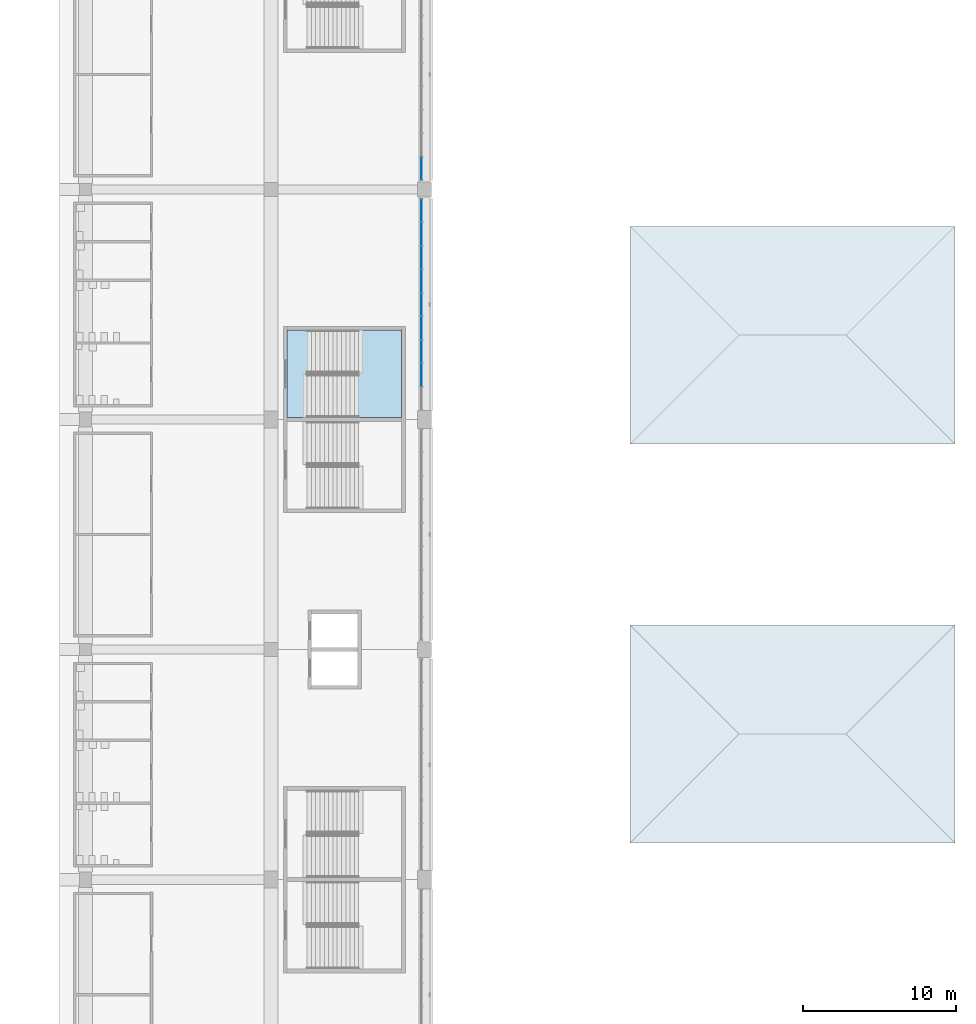
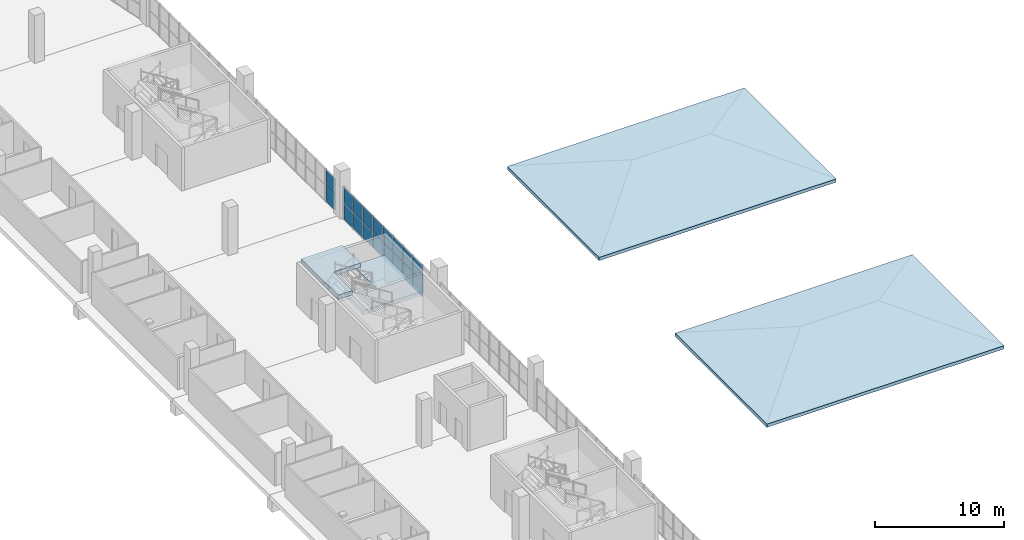
# One storey, part 66 of 199: 18 plates, 4 slabs, 3 elements without a shape of their own.
"""IFC4 building model written with IfcOpenShell, lengths in metres."""

from ifc_helpers import new_model, si_unit, direction, frame, origin, origin_2d, place, context, subcontext, project, spatial, polyline, rectangle, outline, extrude, material, layer, layer_set, type_object, element, aggregate, save


model = new_model("IFC4")

# Units and contexts
model_context = context("Model", 3, precision=1e-05, world=origin(), true_north=direction((0.0, 1.0)))
body_context = subcontext(model_context, "Body", "Model", "MODEL_VIEW")
ifc_project = project(units=[si_unit("LENGTHUNIT", "METRE"), si_unit("AREAUNIT", "SQUARE_METRE"), si_unit("VOLUMEUNIT", "CUBIC_METRE"), si_unit("PLANEANGLEUNIT", "RADIAN"), si_unit("MASSUNIT", "GRAM", prefix="KILO")], contexts=[model_context])

# Site, building, storey
site_placement = place(None, origin())
site = spatial("IfcSite", under=ifc_project, at=site_placement, CompositionType="ELEMENT")
building_placement = place(site_placement, origin())
building = spatial("IfcBuilding", under=site, at=building_placement, Name="Ogive Plaza Stadium", CompositionType="ELEMENT")
storey_placement = place(building_placement, frame((0.0, 0.0, 4.5)))
storey = spatial("IfcBuildingStorey", under=building, at=storey_placement, Name="L01", CompositionType="ELEMENT", Elevation=4.5)

# Slabs
ifc_material_1 = material(Name="Concrete C40/50", Category="concrete")
ifc_layer_1 = layer(ifc_material_1, 0.300048828125)
ifc_layer_set_1 = layer_set([ifc_layer_1], Name="Concrete C40/50")
slab_type_1 = type_object("IfcSlabType", Name="Headhouse roof slab 300", PredefinedType="ROOF", material=ifc_layer_set_1)
slab_1_placement = place(storey_placement, frame((0.0, 0.0, 1.0)))
element("IfcSlab", 1, at=slab_1_placement, inside=storey, type_object=slab_type_1, Name="Headhouse 1 roof", PredefinedType="ROOF", context=body_context, shape_type="SweptSolid", body=[
    extrude(outline(polyline([(97.39990234375, -20.10009765625), (118.60009765625, -20.10009765625), (118.60009765625, -5.89990234375), (97.39990234375, -5.89990234375), (97.39990234375, -20.10009765625)])), origin(), (0.0, 0.0, 1.0), 0.300048828125),
])
slab_2_placement = place(storey_placement, frame((0.0, 0.0, 1.0)))
element("IfcSlab", 2, at=slab_2_placement, inside=storey, type_object=slab_type_1, Name="Headhouse 2 roof", PredefinedType="ROOF", context=body_context, shape_type="SweptSolid", body=[
    extrude(outline(polyline([(97.39990234375, 5.89990234375), (118.60009765625, 5.89990234375), (118.60009765625, 20.10009765625), (97.39990234375, 20.10009765625), (97.39990234375, 5.89990234375)])), origin(), (0.0, 0.0, 1.0), 0.300048828125),
])

# Curtain wall, plates
ifc_material_2 = material(Name="Bronze-anodised aluminium with laminated glass", Category="aluminium")
curtain_wall_type = type_object("IfcCurtainWallType", Name="Lancet curtain wall", PredefinedType="NOTDEFINED", material=ifc_material_2)
curtain_wall_1_placement = place(storey_placement, origin())
curtain_wall_1 = element("IfcCurtainWall", 3, at=curtain_wall_1_placement, inside=storey, type_object=curtain_wall_type, Name="CURTAIN WALL B02 L01", PredefinedType="NOTDEFINED")
ifc_material_3 = material(Name="Laminated glass", Category="glass")
ifc_layer_2 = layer(ifc_material_3, 0.028076171875)
ifc_layer_set_2 = layer_set([ifc_layer_2], Name="Laminated glass panel 28")
plate_type = type_object("IfcPlateType", Name="Laminated glass panel 28", PredefinedType="CURTAIN_PANEL", material=ifc_layer_set_2)
plate_1_placement = place(storey_placement, frame((83.800048828125, 23.879150390625, 0.0498046875), z_axis=(0.0, 0.0, 1.0), x_axis=(0.0, -1.0, 0.0)))
plate_1 = element("IfcPlate", 4, at=plate_1_placement, type_object=plate_type, Name="CW-B02-L01 panel 9.1", PredefinedType="CURTAIN_PANEL", context=body_context, shape_type="SweptSolid", body=[
    extrude(rectangle(XDim=1.458251953125, YDim=0.028076171875, at=origin_2d()), origin(), (0.0, 0.0, 1.0), 1.469970703125),
])
plate_2_placement = place(storey_placement, frame((83.800048828125, 23.879150390625, 1.56982421875), z_axis=(0.0, 0.0, 1.0), x_axis=(0.0, -1.0, 0.0)))
plate_2 = element("IfcPlate", 5, at=plate_2_placement, type_object=plate_type, Name="CW-B02-L01 panel 9.2", PredefinedType="CURTAIN_PANEL", context=body_context, shape_type="SweptSolid", body=[
    extrude(rectangle(XDim=1.458251953125, YDim=0.028076171875, at=origin_2d()), origin(), (0.0, 0.0, 1.0), 1.469970703125),
])
aggregate(curtain_wall_1, [plate_1, plate_2])

curtain_wall_2_placement = place(storey_placement, origin())
curtain_wall_2 = element("IfcCurtainWall", 6, at=curtain_wall_2_placement, inside=storey, type_object=curtain_wall_type, Name="CURTAIN WALL B03 L01", PredefinedType="NOTDEFINED")
plate_3_placement = place(storey_placement, frame((83.800048828125, 21.120849609375, 0.0498046875), z_axis=(0.0, 0.0, 1.0), x_axis=(0.0, -1.0, 0.0)))
plate_3 = element("IfcPlate", 7, at=plate_3_placement, type_object=plate_type, Name="CW-B03-L01 panel 1.1", PredefinedType="CURTAIN_PANEL", context=body_context, shape_type="SweptSolid", body=[
    extrude(rectangle(XDim=1.458251953125, YDim=0.028076171875, at=origin_2d()), origin(), (0.0, 0.0, 1.0), 1.469970703125),
])
plate_4_placement = place(storey_placement, frame((83.800048828125, 21.120849609375, 1.56982421875), z_axis=(0.0, 0.0, 1.0), x_axis=(0.0, -1.0, 0.0)))
plate_4 = element("IfcPlate", 8, at=plate_4_placement, type_object=plate_type, Name="CW-B03-L01 panel 1.2", PredefinedType="CURTAIN_PANEL", context=body_context, shape_type="SweptSolid", body=[
    extrude(rectangle(XDim=1.458251953125, YDim=0.028076171875, at=origin_2d()), origin(), (0.0, 0.0, 1.0), 1.469970703125),
])
plate_5_placement = place(storey_placement, frame((83.800048828125, 19.60009765625, 0.0498046875), z_axis=(0.0, 0.0, 1.0), x_axis=(0.0, -1.0, 0.0)))
plate_5 = element("IfcPlate", 9, at=plate_5_placement, type_object=plate_type, Name="CW-B03-L01 panel 2.1", PredefinedType="CURTAIN_PANEL", context=body_context, shape_type="SweptSolid", body=[
    extrude(rectangle(XDim=1.4833984375, YDim=0.028076171875, at=origin_2d()), origin(), (0.0, 0.0, 1.0), 1.469970703125),
])
plate_6_placement = place(storey_placement, frame((83.800048828125, 19.60009765625, 1.56982421875), z_axis=(0.0, 0.0, 1.0), x_axis=(0.0, -1.0, 0.0)))
plate_6 = element("IfcPlate", 10, at=plate_6_placement, type_object=plate_type, Name="CW-B03-L01 panel 2.2", PredefinedType="CURTAIN_PANEL", context=body_context, shape_type="SweptSolid", body=[
    extrude(rectangle(XDim=1.4833984375, YDim=0.028076171875, at=origin_2d()), origin(), (0.0, 0.0, 1.0), 1.469970703125),
])
plate_7_placement = place(storey_placement, frame((83.800048828125, 18.066650390625, 0.0498046875), z_axis=(0.0, 0.0, 1.0), x_axis=(0.0, -1.0, 0.0)))
plate_7 = element("IfcPlate", 11, at=plate_7_placement, type_object=plate_type, Name="CW-B03-L01 panel 3.1", PredefinedType="CURTAIN_PANEL", context=body_context, shape_type="SweptSolid", body=[
    extrude(rectangle(XDim=1.4833984375, YDim=0.028076171875, at=origin_2d()), origin(), (0.0, 0.0, 1.0), 1.469970703125),
])
plate_8_placement = place(storey_placement, frame((83.800048828125, 18.066650390625, 1.56982421875), z_axis=(0.0, 0.0, 1.0), x_axis=(0.0, -1.0, 0.0)))
plate_8 = element("IfcPlate", 12, at=plate_8_placement, type_object=plate_type, Name="CW-B03-L01 panel 3.2", PredefinedType="CURTAIN_PANEL", context=body_context, shape_type="SweptSolid", body=[
    extrude(rectangle(XDim=1.4833984375, YDim=0.028076171875, at=origin_2d()), origin(), (0.0, 0.0, 1.0), 1.469970703125),
])
plate_9_placement = place(storey_placement, frame((83.800048828125, 16.533447265625, 0.0498046875), z_axis=(0.0, 0.0, 1.0), x_axis=(0.0, -1.0, 0.0)))
plate_9 = element("IfcPlate", 13, at=plate_9_placement, type_object=plate_type, Name="CW-B03-L01 panel 4.1", PredefinedType="CURTAIN_PANEL", context=body_context, shape_type="SweptSolid", body=[
    extrude(rectangle(XDim=1.4833984375, YDim=0.028076171875, at=origin_2d()), origin(), (0.0, 0.0, 1.0), 1.469970703125),
])
plate_10_placement = place(storey_placement, frame((83.800048828125, 16.533447265625, 1.56982421875), z_axis=(0.0, 0.0, 1.0), x_axis=(0.0, -1.0, 0.0)))
plate_10 = element("IfcPlate", 14, at=plate_10_placement, type_object=plate_type, Name="CW-B03-L01 panel 4.2", PredefinedType="CURTAIN_PANEL", context=body_context, shape_type="SweptSolid", body=[
    extrude(rectangle(XDim=1.4833984375, YDim=0.028076171875, at=origin_2d()), origin(), (0.0, 0.0, 1.0), 1.469970703125),
])
plate_11_placement = place(storey_placement, frame((83.800048828125, 15.0, 0.0498046875), z_axis=(0.0, 0.0, 1.0), x_axis=(0.0, -1.0, 0.0)))
plate_11 = element("IfcPlate", 15, at=plate_11_placement, type_object=plate_type, Name="CW-B03-L01 panel 5.1", PredefinedType="CURTAIN_PANEL", context=body_context, shape_type="SweptSolid", body=[
    extrude(rectangle(XDim=1.4833984375, YDim=0.028076171875, at=origin_2d()), origin(), (0.0, 0.0, 1.0), 1.469970703125),
])
plate_12_placement = place(storey_placement, frame((83.800048828125, 15.0, 1.56982421875), z_axis=(0.0, 0.0, 1.0), x_axis=(0.0, -1.0, 0.0)))
plate_12 = element("IfcPlate", 16, at=plate_12_placement, type_object=plate_type, Name="CW-B03-L01 panel 5.2", PredefinedType="CURTAIN_PANEL", context=body_context, shape_type="SweptSolid", body=[
    extrude(rectangle(XDim=1.4833984375, YDim=0.028076171875, at=origin_2d()), origin(), (0.0, 0.0, 1.0), 1.469970703125),
])
plate_13_placement = place(storey_placement, frame((83.800048828125, 13.466552734375, 0.0498046875), z_axis=(0.0, 0.0, 1.0), x_axis=(0.0, -1.0, 0.0)))
plate_13 = element("IfcPlate", 17, at=plate_13_placement, type_object=plate_type, Name="CW-B03-L01 panel 6.1", PredefinedType="CURTAIN_PANEL", context=body_context, shape_type="SweptSolid", body=[
    extrude(rectangle(XDim=1.4833984375, YDim=0.028076171875, at=origin_2d()), origin(), (0.0, 0.0, 1.0), 1.469970703125),
])
plate_14_placement = place(storey_placement, frame((83.800048828125, 13.466552734375, 1.56982421875), z_axis=(0.0, 0.0, 1.0), x_axis=(0.0, -1.0, 0.0)))
plate_14 = element("IfcPlate", 18, at=plate_14_placement, type_object=plate_type, Name="CW-B03-L01 panel 6.2", PredefinedType="CURTAIN_PANEL", context=body_context, shape_type="SweptSolid", body=[
    extrude(rectangle(XDim=1.4833984375, YDim=0.028076171875, at=origin_2d()), origin(), (0.0, 0.0, 1.0), 1.469970703125),
])
plate_15_placement = place(storey_placement, frame((83.800048828125, 11.933349609375, 0.0498046875), z_axis=(0.0, 0.0, 1.0), x_axis=(0.0, -1.0, 0.0)))
plate_15 = element("IfcPlate", 19, at=plate_15_placement, type_object=plate_type, Name="CW-B03-L01 panel 7.1", PredefinedType="CURTAIN_PANEL", context=body_context, shape_type="SweptSolid", body=[
    extrude(rectangle(XDim=1.4833984375, YDim=0.028076171875, at=origin_2d()), origin(), (0.0, 0.0, 1.0), 1.469970703125),
])
plate_16_placement = place(storey_placement, frame((83.800048828125, 11.933349609375, 1.56982421875), z_axis=(0.0, 0.0, 1.0), x_axis=(0.0, -1.0, 0.0)))
plate_16 = element("IfcPlate", 20, at=plate_16_placement, type_object=plate_type, Name="CW-B03-L01 panel 7.2", PredefinedType="CURTAIN_PANEL", context=body_context, shape_type="SweptSolid", body=[
    extrude(rectangle(XDim=1.4833984375, YDim=0.028076171875, at=origin_2d()), origin(), (0.0, 0.0, 1.0), 1.469970703125),
])
plate_17_placement = place(storey_placement, frame((83.800048828125, 10.39990234375, 0.0498046875), z_axis=(0.0, 0.0, 1.0), x_axis=(0.0, -1.0, 0.0)))
plate_17 = element("IfcPlate", 21, at=plate_17_placement, type_object=plate_type, Name="CW-B03-L01 panel 8.1", PredefinedType="CURTAIN_PANEL", context=body_context, shape_type="SweptSolid", body=[
    extrude(rectangle(XDim=1.4833984375, YDim=0.028076171875, at=origin_2d()), origin(), (0.0, 0.0, 1.0), 1.469970703125),
])
plate_18_placement = place(storey_placement, frame((83.800048828125, 10.39990234375, 1.56982421875), z_axis=(0.0, 0.0, 1.0), x_axis=(0.0, -1.0, 0.0)))
plate_18 = element("IfcPlate", 22, at=plate_18_placement, type_object=plate_type, Name="CW-B03-L01 panel 8.2", PredefinedType="CURTAIN_PANEL", context=body_context, shape_type="SweptSolid", body=[
    extrude(rectangle(XDim=1.4833984375, YDim=0.028076171875, at=origin_2d()), origin(), (0.0, 0.0, 1.0), 1.469970703125),
])
aggregate(curtain_wall_2, [plate_3, plate_4, plate_5, plate_6, plate_7, plate_8, plate_9, plate_10, plate_11, plate_12, plate_13, plate_14, plate_15, plate_16, plate_17, plate_18])

# Stair, slabs
ifc_material_4 = material(Name="Concrete C40/50", Category="concrete")
stair_type = type_object("IfcStairType", Name="Exit stair", PredefinedType="STRAIGHT_RUN_STAIR", material=ifc_material_4)
stair_placement = place(storey_placement, origin())
stair = element("IfcStair", 23, at=stair_placement, inside=storey, type_object=stair_type, Name="Exit stair ST04B L01 to L02", PredefinedType="STRAIGHT_RUN_STAIR")
ifc_material_5 = material(Name="Concrete C40/50", Category="concrete")
ifc_layer_3 = layer(ifc_material_5, 0.39990234375)
ifc_layer_set_3 = layer_set([ifc_layer_3], Name="Concrete C40/50")
slab_type_2 = type_object("IfcSlabType", Name="Stair landing", PredefinedType="LANDING", material=ifc_layer_set_3)
slab_3_placement = place(storey_placement, frame((0.0, 0.0, 1.85009765625)))
slab_3 = element("IfcSlab", 24, at=slab_3_placement, type_object=slab_type_2, Name="ST04B landing 1", PredefinedType="LANDING", context=body_context, shape_type="SweptSolid", body=[
    extrude(outline(polyline([(77.31005859375, 7.625), (77.31005859375, 10.425048828125), (79.7099609375, 10.425048828125), (79.7099609375, 13.324951171875), (82.510009765625, 13.324951171875), (82.510009765625, 7.625), (79.7099609375, 7.625), (77.31005859375, 7.625)])), origin(), (0.0, 0.0, 1.0), 0.39990234375),
])
slab_4_placement = place(storey_placement, frame((0.0, 0.0, 4.10009765625)))
slab_4 = element("IfcSlab", 25, at=slab_4_placement, type_object=slab_type_2, Name="ST04B landing 2", PredefinedType="LANDING", context=body_context, shape_type="SweptSolid", body=[
    extrude(outline(polyline([(76.35009765625, 7.625), (75.050048828125, 7.625), (75.050048828125, 13.324951171875), (76.35009765625, 13.324951171875), (78.75, 13.324951171875), (78.75, 10.52490234375), (76.35009765625, 10.52490234375), (76.35009765625, 7.625)])), origin(), (0.0, 0.0, 1.0), 0.39990234375),
])
aggregate(stair, [slab_3, slab_4])

save(model, "model.ifc")
